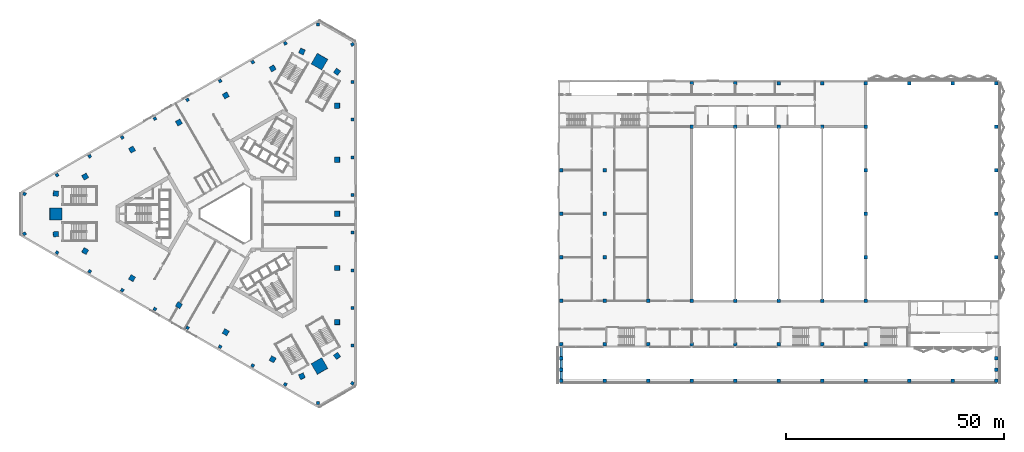
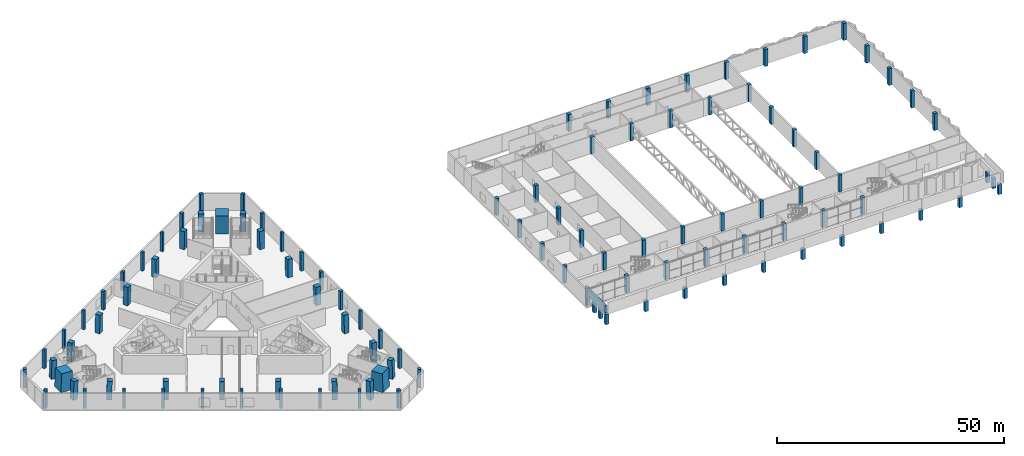
# One storey, part 1 of 36: 111 columns, 1 beam.
"""IFC4 building model written with IfcOpenShell, lengths in metres."""

from ifc_helpers import new_model, si_unit, direction, frame, origin, origin_2d, place, context, subcontext, project, spatial, rectangle, extrude, material, material_profile, profile_set, type_object, element, save


model = new_model("IFC4")

# Units and contexts
model_context = context("Model", 3, precision=1e-05, world=origin(), true_north=direction((0.0, 1.0)))
body_context = subcontext(model_context, "Body", "Model", "MODEL_VIEW")
ifc_project = project(units=[si_unit("LENGTHUNIT", "METRE"), si_unit("AREAUNIT", "SQUARE_METRE"), si_unit("VOLUMEUNIT", "CUBIC_METRE"), si_unit("PLANEANGLEUNIT", "RADIAN"), si_unit("MASSUNIT", "GRAM", prefix="KILO")], contexts=[model_context])

# Site, building, storey
site_placement = place(None, origin())
site = spatial("IfcSite", under=ifc_project, at=site_placement, CompositionType="ELEMENT")
building_placement = place(site_placement, origin())
building = spatial("IfcBuilding", under=site, at=building_placement, Name="Jabali Bay Hotel Tower and Convention Centre", CompositionType="ELEMENT")
storey_placement = place(building_placement, frame((0.0, 0.0, 20.39990234375)))
storey = spatial("IfcBuildingStorey", under=building, at=storey_placement, Name="L03", CompositionType="ELEMENT", Elevation=20.39990234375)

# Columns
ifc_material_1 = material(Name="Concrete C60", Category="concrete")
ifc_material_profile_1 = material_profile(ifc_material_1, rectangle(XDim=0.800048828125, YDim=0.800048828125, at=origin_2d()), Name="RC 800x800")
ifc_profile_set_1 = profile_set([ifc_material_profile_1], Name="Concrete C60")
column_type_1 = type_object("IfcColumnType", Name="CC Column 800x800 C60", PredefinedType="COLUMN", material=ifc_profile_set_1)
for number, where, z_axis, x_axis, name in (
    (1, (150.699951171875, 50.0, 0.0), (0.0, 0.0, 1.0), (1.0, 0.0, 0.0), "CC column CC1/A"),
    (2, (150.699951171875, 60.0, 0.0), (0.0, 0.0, 1.0), (1.0, 0.0, 0.0), "CC column CC1/B"),
    (3, (150.699951171875, 70.0, 0.0), (0.0, 0.0, 1.0), (1.0, 0.0, 0.0), "CC column CC1/C"),
    (4, (150.699951171875, 80.0, 0.0), (0.0, 0.0, 1.0), (1.0, 0.0, 0.0), "CC column CC1/D"),
    (5, (150.699951171875, 90.0, 0.0), (0.0, 0.0, 1.0), (1.0, 0.0, 0.0), "CC column CC1/E"),
    (6, (160.699951171875, 50.0, 0.0), (0.0, 0.0, 1.0), (1.0, 0.0, 0.0), "CC column CC2/A"),
    (7, (160.699951171875, 60.0, 0.0), (0.0, 0.0, 1.0), (1.0, 0.0, 0.0), "CC column CC2/B"),
    (8, (160.699951171875, 70.0, 0.0), (0.0, 0.0, 1.0), (1.0, 0.0, 0.0), "CC column CC2/C"),
    (9, (160.699951171875, 80.0, 0.0), (0.0, 0.0, 1.0), (1.0, 0.0, 0.0), "CC column CC2/D"),
    (10, (160.699951171875, 90.0, 0.0), (0.0, 0.0, 1.0), (1.0, 0.0, 0.0), "CC column CC2/E"),
    (11, (170.699951171875, 50.0, 0.0), (0.0, 0.0, 1.0), (1.0, 0.0, 0.0), "CC column CC3/A"),
    (12, (170.699951171875, 60.0, 0.0), (0.0, 0.0, 1.0), (1.0, 0.0, 0.0), "CC column CC3/B"),
    (13, (180.699951171875, 50.0, 0.0), (0.0, 0.0, 1.0), (1.0, 0.0, 0.0), "CC column CC4/A"),
    (14, (180.699951171875, 60.0, 0.0), (0.0, 0.0, 1.0), (1.0, 0.0, 0.0), "CC column CC4/B"),
    (15, (180.699951171875, 100.0, 0.0), (0.0, 0.0, 1.0), (1.0, 0.0, 0.0), "CC column CC4/F"),
    (16, (180.699951171875, 110.0, 0.0), (0.0, 0.0, 1.0), (1.0, 0.0, 0.0), "CC column CC4/G"),
    (17, (190.699951171875, 50.0, 0.0), (0.0, 0.0, 1.0), (1.0, 0.0, 0.0), "CC column CC5/A"),
    (18, (190.699951171875, 60.0, 0.0), (0.0, 0.0, 1.0), (1.0, 0.0, 0.0), "CC column CC5/B"),
    (19, (190.699951171875, 100.0, 0.0), (0.0, 0.0, 1.0), (1.0, 0.0, 0.0), "CC column CC5/F"),
    (20, (190.699951171875, 110.0, 0.0), (0.0, 0.0, 1.0), (1.0, 0.0, 0.0), "CC column CC5/G"),
    (21, (200.699951171875, 50.0, 0.0), (0.0, 0.0, 1.0), (1.0, 0.0, 0.0), "CC column CC6/A"),
    (22, (200.699951171875, 60.0, 0.0), (0.0, 0.0, 1.0), (1.0, 0.0, 0.0), "CC column CC6/B"),
    (23, (200.699951171875, 100.0, 0.0), (0.0, 0.0, 1.0), (1.0, 0.0, 0.0), "CC column CC6/F"),
    (24, (200.699951171875, 110.0, 0.0), (0.0, 0.0, 1.0), (1.0, 0.0, 0.0), "CC column CC6/G"),
    (25, (210.699951171875, 50.0, 0.0), (0.0, 0.0, 1.0), (1.0, 0.0, 0.0), "CC column CC7/A"),
    (26, (210.699951171875, 60.0, 0.0), (0.0, 0.0, 1.0), (1.0, 0.0, 0.0), "CC column CC7/B"),
    (27, (210.699951171875, 100.0, 0.0), (0.0, 0.0, 1.0), (1.0, 0.0, 0.0), "CC column CC7/F"),
    (28, (210.699951171875, 110.0, 0.0), (0.0, 0.0, 1.0), (1.0, 0.0, 0.0), "CC column CC7/G"),
    (29, (220.699951171875, 50.0, 0.0), (0.0, 0.0, 1.0), (1.0, 0.0, 0.0), "CC column CC8/A"),
    (30, (220.699951171875, 60.0, 0.0), (0.0, 0.0, 1.0), (1.0, 0.0, 0.0), "CC column CC8/B"),
    (31, (220.699951171875, 70.0, 0.0), (0.0, 0.0, 1.0), (1.0, 0.0, 0.0), "CC column CC8/C"),
    (32, (220.699951171875, 80.0, 0.0), (0.0, 0.0, 1.0), (1.0, 0.0, 0.0), "CC column CC8/D"),
    (33, (220.699951171875, 90.0, 0.0), (0.0, 0.0, 1.0), (1.0, 0.0, 0.0), "CC column CC8/E"),
    (34, (220.699951171875, 100.0, 0.0), (0.0, 0.0, 1.0), (1.0, 0.0, 0.0), "CC column CC8/F"),
    (35, (220.699951171875, 110.0, 0.0), (0.0, 0.0, 1.0), (1.0, 0.0, 0.0), "CC column CC8/G"),
    (36, (230.699951171875, 110.0, 0.0), (0.0, 0.0, 1.0), (1.0, 0.0, 0.0), "CC column CC9/G"),
    (37, (240.699951171875, 110.0, 0.0), (0.0, 0.0, 1.0), (1.0, 0.0, 0.0), "CC column CC10/G"),
    (38, (250.699951171875, 70.0, 0.0), (0.0, 0.0, 1.0), (1.0, 0.0, 0.0), "CC column CC11/C"),
    (39, (250.699951171875, 80.0, 0.0), (0.0, 0.0, 1.0), (1.0, 0.0, 0.0), "CC column CC11/D"),
    (40, (250.699951171875, 90.0, 0.0), (0.0, 0.0, 1.0), (1.0, 0.0, 0.0), "CC column CC11/E"),
    (41, (250.699951171875, 100.0, 0.0), (0.0, 0.0, 1.0), (1.0, 0.0, 0.0), "CC column CC11/F"),
    (42, (250.699951171875, 110.0, 0.0), (0.0, 0.0, 1.0), (1.0, 0.0, 0.0), "CC column CC11/G"),
):
    element("IfcColumn", number, at=place(storey_placement, frame(where, z_axis=z_axis, x_axis=x_axis)), inside=storey, type_object=column_type_1, Name=name, PredefinedType="COLUMN", context=body_context, shape_type="SweptSolid", body=[
        extrude(rectangle(XDim=0.800048828125, YDim=0.800048828125, at=origin_2d()), origin(), (0.0, 0.0, 1.0), 4.590087890625),
    ])
ifc_material_profile_2 = material_profile(ifc_material_1, rectangle(XDim=0.800048828125, YDim=0.800048828125, at=origin_2d()), Name="RC 800x800")
ifc_profile_set_2 = profile_set([ifc_material_profile_2], Name="Concrete C60")
column_type_2 = type_object("IfcColumnType", Name="CC South Pier 800x800", PredefinedType="COLUMN", material=ifc_profile_set_2)
for number, where, z_axis, x_axis, name in (
    (43, (150.699951171875, 44.199951171875, 0.0), (0.0, 0.0, 1.0), (1.0, 0.0, 0.0), "CC south roof return pier W1"),
    (44, (150.699951171875, 46.800048828125, 0.0), (0.0, 0.0, 1.0), (1.0, 0.0, 0.0), "CC south roof return pier W2"),
    (45, (250.699951171875, 44.199951171875, 0.0), (0.0, 0.0, 1.0), (1.0, 0.0, 0.0), "CC south roof return pier E1"),
    (46, (250.699951171875, 46.800048828125, 0.0), (0.0, 0.0, 1.0), (1.0, 0.0, 0.0), "CC south roof return pier E2"),
    (47, (150.699951171875, 41.60009765625, 0.0), (0.0, 0.0, 1.0), (1.0, 0.0, 0.0), "CC south roof pier 1"),
    (48, (160.699951171875, 41.60009765625, 0.0), (0.0, 0.0, 1.0), (1.0, 0.0, 0.0), "CC south roof pier 2"),
    (49, (170.699951171875, 41.60009765625, 0.0), (0.0, 0.0, 1.0), (1.0, 0.0, 0.0), "CC south roof pier 3"),
    (50, (180.699951171875, 41.60009765625, 0.0), (0.0, 0.0, 1.0), (1.0, 0.0, 0.0), "CC south roof pier 4"),
    (51, (190.699951171875, 41.60009765625, 0.0), (0.0, 0.0, 1.0), (1.0, 0.0, 0.0), "CC south roof pier 5"),
    (52, (200.699951171875, 41.60009765625, 0.0), (0.0, 0.0, 1.0), (1.0, 0.0, 0.0), "CC south roof pier 6"),
    (53, (210.699951171875, 41.60009765625, 0.0), (0.0, 0.0, 1.0), (1.0, 0.0, 0.0), "CC south roof pier 7"),
    (54, (220.699951171875, 41.60009765625, 0.0), (0.0, 0.0, 1.0), (1.0, 0.0, 0.0), "CC south roof pier 8"),
    (55, (230.699951171875, 41.60009765625, 0.0), (0.0, 0.0, 1.0), (1.0, 0.0, 0.0), "CC south roof pier 9"),
    (56, (240.699951171875, 41.60009765625, 0.0), (0.0, 0.0, 1.0), (1.0, 0.0, 0.0), "CC south roof pier 10"),
    (57, (250.699951171875, 41.60009765625, 0.0), (0.0, 0.0, 1.0), (1.0, 0.0, 0.0), "CC south roof pier 11"),
):
    element("IfcColumn", number, at=place(storey_placement, frame(where, z_axis=z_axis, x_axis=x_axis)), inside=storey, type_object=column_type_2, Name=name, PredefinedType="COLUMN", context=body_context, shape_type="SweptSolid", body=[
        extrude(rectangle(XDim=0.800048828125, YDim=0.800048828125, at=origin_2d()), origin(), (0.0, 0.0, 1.0), 2.7900390625),
    ])
ifc_material_profile_3 = material_profile(ifc_material_1, rectangle(XDim=1.199951171875, YDim=1.199951171875, at=origin_2d()), Name="Frame column 1200")
ifc_profile_set_3 = profile_set([ifc_material_profile_3], Name="Concrete C60")
column_type_3 = type_object("IfcColumnType", Name="Frame column 1200", PredefinedType="COLUMN", material=ifc_profile_set_3)
column_1_placement = place(storey_placement, frame((84.428955078125, 113.438232421875, 0.0), z_axis=(-0.008346006845, -0.02816167222, 0.999568539115), x_axis=(0.865361094771, 0.500694642662, 0.021331911915)))
element("IfcColumn", 58, at=column_1_placement, inside=storey, type_object=column_type_3, Name="FC1 F1.1 L03", PredefinedType="COLUMN", context=body_context, shape_type="SweptSolid", body=[
    extrude(rectangle(XDim=1.199951171875, YDim=1.199951171875, at=origin_2d()), origin(), (0.0, 0.0, 1.0), 5.002197265625),
])
column_2_placement = place(storey_placement, frame((73.653564453125, 107.217041015625, 0.0), z_axis=(0.000878676521, -0.022845589543, 0.999738619323), x_axis=(0.865610658268, 0.500603787219, 0.010678788114)))
element("IfcColumn", 59, at=column_2_placement, inside=storey, type_object=column_type_3, Name="FC1 F1.2 L03", PredefinedType="COLUMN", context=body_context, shape_type="SweptSolid", body=[
    extrude(rectangle(XDim=1.199951171875, YDim=1.199951171875, at=origin_2d()), origin(), (0.0, 0.0, 1.0), 5.001220703125),
])
column_3_placement = place(storey_placement, frame((62.878173828125, 100.995849609375, 0.0), z_axis=(0.010056548747, -0.017476914813, 0.999796690971), x_axis=(0.866747029638, 0.498748019158, 9.2908e-08)))
element("IfcColumn", 60, at=column_3_placement, inside=storey, type_object=column_type_3, Name="FC1 F1.3 L03", PredefinedType="COLUMN", context=body_context, shape_type="SweptSolid", body=[
    extrude(rectangle(XDim=1.199951171875, YDim=1.199951171875, at=origin_2d()), origin(), (0.0, 0.0, 1.0), 5.0009765625),
])
column_4_placement = place(storey_placement, frame((52.1025390625, 94.774658203125, 0.0), z_axis=(0.01933089569, -0.012155032896, 0.999739251829), x_axis=(-0.49971101849, 0.865956827544, 0.020190860028)))
element("IfcColumn", 61, at=column_4_placement, inside=storey, type_object=column_type_3, Name="FC1 F1.4 L03", PredefinedType="COLUMN", context=body_context, shape_type="SweptSolid", body=[
    extrude(rectangle(XDim=1.199951171875, YDim=1.199951171875, at=origin_2d()), origin(), (0.0, 0.0, 1.0), 5.001220703125),
])
for number, where, z_axis, x_axis, name in (
    (62, (41.3271484375, 88.55322265625, 0.0), (0.028552149901, -0.006784186045, 0.999569282019), (-0.500626130627, 0.865428502143, 0.020173869542), "FC1 F1.5 L03"),
    (63, (41.3271484375, 71.44677734375, 0.0), (0.028552149901, 0.006784186045, 0.999569282019), (-0.86519260981, 0.500986509297, 0.021313503513), "FC1 F2.1 L03"),
):
    element("IfcColumn", number, at=place(storey_placement, frame(where, z_axis=z_axis, x_axis=x_axis)), inside=storey, type_object=column_type_3, Name=name, PredefinedType="COLUMN", context=body_context, shape_type="SweptSolid", body=[
        extrude(rectangle(XDim=1.199951171875, YDim=1.199951171875, at=origin_2d()), origin(), (0.0, 0.0, 1.0), 5.002197265625),
    ])
column_5_placement = place(storey_placement, frame((52.1025390625, 65.225341796875, 0.0), z_axis=(0.01933089569, 0.012155032896, 0.999739251829), x_axis=(-0.865976451453, 0.499971027165, 0.010665717237)))
element("IfcColumn", 64, at=column_5_placement, inside=storey, type_object=column_type_3, Name="FC1 F2.2 L03", PredefinedType="COLUMN", context=body_context, shape_type="SweptSolid", body=[
    extrude(rectangle(XDim=1.199951171875, YDim=1.199951171875, at=origin_2d()), origin(), (0.0, 0.0, 1.0), 5.001220703125),
])
column_6_placement = place(storey_placement, frame((62.878173828125, 59.004150390625, 0.0), z_axis=(0.010056548747, 0.017476914813, 0.999796690971), x_axis=(-0.498646620807, -0.866570811206, 0.020163747768)))
element("IfcColumn", 65, at=column_6_placement, inside=storey, type_object=column_type_3, Name="FC1 F2.3 L03", PredefinedType="COLUMN", context=body_context, shape_type="SweptSolid", body=[
    extrude(rectangle(XDim=1.199951171875, YDim=1.199951171875, at=origin_2d()), origin(), (0.0, 0.0, 1.0), 5.0009765625),
])
column_7_placement = place(storey_placement, frame((73.653564453125, 52.782958984375, 0.0), z_axis=(0.000878676521, 0.022845589543, 0.999738619323), x_axis=(-0.500716902272, -0.865375021167, 0.020215254597)))
element("IfcColumn", 66, at=column_7_placement, inside=storey, type_object=column_type_3, Name="FC1 F2.4 L03", PredefinedType="COLUMN", context=body_context, shape_type="SweptSolid", body=[
    extrude(rectangle(XDim=1.199951171875, YDim=1.199951171875, at=origin_2d()), origin(), (0.0, 0.0, 1.0), 5.001220703125),
])
for number, where, z_axis, x_axis, name in (
    (67, (84.428955078125, 46.561767578125, 0.0), (-0.008346006845, 0.02816167222, 0.999568539115), (-0.501079354819, -0.86516576159, 0.020191214588), "FC1 F2.5 L03"),
    (68, (99.243896484375, 55.115234375, 0.0), (-0.020206138153, 0.021279894287, 0.999569346309), (0.001368496383, -0.999771939675, 0.02131187125), "FC1 F0.1 L03"),
):
    element("IfcColumn", number, at=place(storey_placement, frame(where, z_axis=z_axis, x_axis=x_axis)), inside=storey, type_object=column_type_3, Name=name, PredefinedType="COLUMN", context=body_context, shape_type="SweptSolid", body=[
        extrude(rectangle(XDim=1.199951171875, YDim=1.199951171875, at=origin_2d()), origin(), (0.0, 0.0, 1.0), 5.002197265625),
    ])
column_8_placement = place(storey_placement, frame((99.243896484375, 67.5576171875, 0.0), z_axis=(-0.020209570286, 0.010641754402, 0.999739129139), x_axis=(0.001205016584, -0.99994236624, 0.010668276988)))
element("IfcColumn", 69, at=column_8_placement, inside=storey, type_object=column_type_3, Name="FC1 F0.2 L03", PredefinedType="COLUMN", context=body_context, shape_type="SweptSolid", body=[
    extrude(rectangle(XDim=1.199951171875, YDim=1.199951171875, at=origin_2d()), origin(), (0.0, 0.0, 1.0), 5.001220703125),
])
column_9_placement = place(storey_placement, frame((99.243896484375, 80.0, 0.0), z_axis=(-0.020210714719, 0.0, 0.999795742645), x_axis=(0.0, -1.0, 0.0)))
element("IfcColumn", 70, at=column_9_placement, inside=storey, type_object=column_type_3, Name="FC1 F0.3 L03", PredefinedType="COLUMN", context=body_context, shape_type="SweptSolid", body=[
    extrude(rectangle(XDim=1.199951171875, YDim=1.199951171875, at=origin_2d()), origin(), (0.0, 0.0, 1.0), 5.0009765625),
])
column_10_placement = place(storey_placement, frame((99.243896484375, 92.4423828125, 0.0), z_axis=(-0.020209570286, -0.010641754402, 0.999739129139), x_axis=(0.999795039598, -0.001420303524, 0.020195582042)))
element("IfcColumn", 71, at=column_10_placement, inside=storey, type_object=column_type_3, Name="FC1 F0.4 L03", PredefinedType="COLUMN", context=body_context, shape_type="SweptSolid", body=[
    extrude(rectangle(XDim=1.199951171875, YDim=1.199951171875, at=origin_2d()), origin(), (0.0, 0.0, 1.0), 5.001220703125),
])
column_11_placement = place(storey_placement, frame((99.243896484375, 104.884765625, 0.0), z_axis=(-0.020206138153, -0.021279894287, 0.999569346309), x_axis=(0.999794898566, -0.00179853765, 0.020172408476)))
element("IfcColumn", 72, at=column_11_placement, inside=storey, type_object=column_type_3, Name="FC1 F0.5 L03", PredefinedType="COLUMN", context=body_context, shape_type="SweptSolid", body=[
    extrude(rectangle(XDim=1.199951171875, YDim=1.199951171875, at=origin_2d()), origin(), (0.0, 0.0, 1.0), 5.002197265625),
])
for number, where, z_axis, x_axis, name in (
    (73, (99.243896484375, 47.3369140625, 0.0), (-0.020202222652, 0.028985797718, 0.99937565196), (-0.80247989171, -0.596678178218, 0.001083992319), "FC1 V0 L03"),
    (74, (99.243896484375, 112.6630859375, 0.0), (-0.020202222652, -0.028985797718, 0.99937565196), (0.596337063749, 0.801956965908, 0.035314745222), "FC1 V1 L03"),
    (75, (91.165283203125, 117.327392578125, 0.0), (-0.015029655569, -0.032011214459, 0.999374500176), (0.917798988767, -0.397043875333, 0.001085024723), "FC1 V2 L03"),
    (76, (34.591064453125, 84.664306640625, 0.0), (0.035183125969, -0.002976658369, 0.999376449168), (-0.992762883001, 0.114788149382, 0.035292193152), "FC1 V3 L03"),
    (77, (34.591064453125, 75.335693359375, 0.0), (0.035183125969, 0.002976658369, 0.999376449168), (-0.114821625938, 0.993385534557, 0.001083489975), "FC1 V4 L03"),
    (78, (91.165283203125, 42.672607421875, 0.0), (-0.015029655569, 0.032011214459, 0.999374500176), (0.3967607915, -0.917241213209, 0.035347292952), "FC1 V5 L03"),
):
    element("IfcColumn", number, at=place(storey_placement, frame(where, z_axis=z_axis, x_axis=x_axis)), inside=storey, type_object=column_type_3, Name=name, PredefinedType="COLUMN", context=body_context, shape_type="SweptSolid", body=[
        extrude(rectangle(XDim=1.199951171875, YDim=1.199951171875, at=origin_2d()), origin(), (0.0, 0.0, 1.0), 5.003173828125),
    ])
ifc_material_2 = material(Name="Concrete C70", Category="concrete")
ifc_material_profile_4 = material_profile(ifc_material_2, rectangle(XDim=2.800048828125, YDim=2.800048828125, at=origin_2d()), Name="Mega column 2800")
ifc_profile_set_4 = profile_set([ifc_material_profile_4], Name="Concrete C70")
column_type_4 = type_object("IfcColumnType", Name="Mega column 2800", PredefinedType="COLUMN", material=ifc_profile_set_4)
for number, where, z_axis, x_axis, name in (
    (79, (95.20458984375, 114.9951171875, 0.0), (-0.017616042888, -0.030449891307, 0.999381048025), (0.500455871665, 0.865047050552, 0.035178414512), "MC1 M1 L03"),
    (80, (34.591064453125, 80.0, 0.0), (0.03518328184, 0.0, 0.999380876683), (0.0, 1.0, 0.0), "MC1 M0 L03"),
    (81, (95.20458984375, 45.0048828125, 0.0), (-0.017616042888, 0.030449891307, 0.999381048025), (-0.865584221872, -0.500763372109, 2.1489e-08), "MC1 M2 L03"),
):
    element("IfcColumn", number, at=place(storey_placement, frame(where, z_axis=z_axis, x_axis=x_axis)), inside=storey, type_object=column_type_4, Name=name, PredefinedType="COLUMN", context=body_context, shape_type="SweptSolid", body=[
        extrude(rectangle(XDim=2.800048828125, YDim=2.800048828125, at=origin_2d()), origin(), (0.0, 0.0, 1.0), 5.003173828125),
    ])
ifc_material_profile_5 = material_profile(ifc_material_1, rectangle(XDim=0.699951171875, YDim=0.699951171875, at=origin_2d()), Name="Podium column 700")
ifc_profile_set_5 = profile_set([ifc_material_profile_5], Name="Concrete C60")
column_type_5 = type_object("IfcColumnType", Name="Podium column 700", PredefinedType="COLUMN", material=ifc_profile_set_5)
for number, where, z_axis, x_axis, name in (
    (82, (102.75, 41.069580078125, 0.0), (0.0, 0.0, 1.0), (0.49999996977, 0.866025421238, 0.0), "PC P01 L03"),
    (83, (102.75, 49.720703125, 0.0), (0.0, 0.0, 1.0), (1.0, 0.0, 0.0), "PC P02 L03"),
    (84, (102.75, 58.3720703125, 0.0), (0.0, 0.0, 1.0), (1.0, 0.0, 0.0), "PC P03 L03"),
    (85, (102.75, 67.023193359375, 0.0), (0.0, 0.0, 1.0), (1.0, 0.0, 0.0), "PC P04 L03"),
    (86, (102.75, 75.67431640625, 0.0), (0.0, 0.0, 1.0), (1.0, 0.0, 0.0), "PC P05 L03"),
    (87, (102.75, 84.32568359375, 0.0), (0.0, 0.0, 1.0), (1.0, 0.0, 0.0), "PC P06 L03"),
    (88, (102.75, 92.976806640625, 0.0), (0.0, 0.0, 1.0), (1.0, 0.0, 0.0), "PC P07 L03"),
    (89, (102.75, 101.6279296875, 0.0), (0.0, 0.0, 1.0), (1.0, 0.0, 0.0), "PC P08 L03"),
    (90, (102.75, 110.279296875, 0.0), (0.0, 0.0, 1.0), (1.0, 0.0, 0.0), "PC P09 L03"),
    (91, (102.75, 118.930419921875, 0.0), (0.0, 0.0, 1.0), (0.866025421238, 0.49999996977, 0.0), "PC P10 L03"),
    (92, (94.83984375, 123.497314453125, 0.0), (0.0, 0.0, 1.0), (3.4907e-08, 1.0, 0.0), "PC P11 L03"),
    (93, (87.34765625, 119.171875, 0.0), (0.0, 0.0, 1.0), (0.866025403784, 0.5, 0.0), "PC P12 L03"),
    (94, (79.85546875, 114.84619140625, 0.0), (0.0, 0.0, 1.0), (0.866025403784, 0.5, 0.0), "PC P13 L03"),
    (95, (72.36328125, 110.5205078125, 0.0), (0.0, 0.0, 1.0), (0.866025403784, 0.5, 0.0), "PC P14 L03"),
    (96, (64.87109375, 106.195068359375, 0.0), (0.0, 0.0, 1.0), (0.866025403784, 0.5, 0.0), "PC P15 L03"),
    (97, (57.37890625, 101.869384765625, 0.0), (0.0, 0.0, 1.0), (0.866025403784, 0.5, 0.0), "PC P16 L03"),
    (98, (49.88671875, 97.543701171875, 0.0), (0.0, 0.0, 1.0), (0.866025403784, 0.5, 0.0), "PC P17 L03"),
    (99, (42.39453125, 93.21826171875, 0.0), (0.0, 0.0, 1.0), (0.866025403784, 0.5, 0.0), "PC P18 L03"),
    (100, (34.90234375, 88.892578125, 0.0), (0.0, 0.0, 1.0), (0.866025403784, 0.5, 0.0), "PC P19 L03"),
    (101, (27.41015625, 84.56689453125, 0.0), (0.0, 0.0, 1.0), (0.5, 0.866025403784, 0.0), "PC P20 L03"),
    (102, (27.41015625, 75.43310546875, 0.0), (0.0, 0.0, 1.0), (0.866025403784, 0.5, 0.0), "PC P21 L03"),
    (103, (34.90234375, 71.107421875, 0.0), (0.0, 0.0, 1.0), (0.5, 0.866025403784, 0.0), "PC P22 L03"),
    (104, (42.39453125, 66.78173828125, 0.0), (0.0, 0.0, 1.0), (0.5, 0.866025403784, 0.0), "PC P23 L03"),
    (105, (49.88671875, 62.456298828125, 0.0), (0.0, 0.0, 1.0), (0.5, 0.866025403784, 0.0), "PC P24 L03"),
    (106, (57.37890625, 58.130615234375, 0.0), (0.0, 0.0, 1.0), (0.5, 0.866025403784, 0.0), "PC P25 L03"),
    (107, (64.87109375, 53.804931640625, 0.0), (0.0, 0.0, 1.0), (0.5, 0.866025403784, 0.0), "PC P26 L03"),
    (108, (72.36328125, 49.4794921875, 0.0), (0.0, 0.0, 1.0), (0.5, 0.866025403784, 0.0), "PC P27 L03"),
    (109, (79.85546875, 45.15380859375, 0.0), (0.0, 0.0, 1.0), (0.5, 0.866025403784, 0.0), "PC P28 L03"),
    (110, (87.34765625, 40.828125, 0.0), (0.0, 0.0, 1.0), (0.5, 0.866025403784, 0.0), "PC P29 L03"),
    (111, (94.83984375, 36.502685546875, 0.0), (0.0, 0.0, 1.0), (1.0, 3.4907e-08, 0.0), "PC P30 L03"),
):
    element("IfcColumn", number, at=place(storey_placement, frame(where, z_axis=z_axis, x_axis=x_axis)), inside=storey, type_object=column_type_5, Name=name, PredefinedType="COLUMN", context=body_context, shape_type="SweptSolid", body=[
        extrude(rectangle(XDim=0.699951171875, YDim=0.699951171875, at=origin_2d()), origin(), (0.0, 0.0, 1.0), 5.0),
    ])

# Beam
ifc_material_3 = material(Name="Concrete C40", Category="concrete")
ifc_material_profile_6 = material_profile(ifc_material_3, rectangle(XDim=0.60009765625, YDim=1.800048828125, at=origin_2d()), Name="RC 600x1800")
ifc_profile_set_6 = profile_set([ifc_material_profile_6], Name="Concrete C40")
beam_type = type_object("IfcBeamType", Name="CC South Fascia Beam 600x1800", PredefinedType="BEAM", material=ifc_profile_set_6)
beam_placement = place(storey_placement, frame((150.699951171875, 41.89990234375, 3.690185546875), z_axis=(0.0, 1.0, 0.0), x_axis=(-1.0, 0.0, 0.0)))
element("IfcBeam", 112, at=beam_placement, inside=storey, type_object=beam_type, Name="CC south roof west return beam", PredefinedType="BEAM", context=body_context, shape_type="SweptSolid", body=[
    extrude(rectangle(XDim=0.60009765625, YDim=1.800048828125, at=origin_2d()), origin(), (0.0, 0.0, 1.0), 7.7001953125),
])

save(model, "model.ifc")
